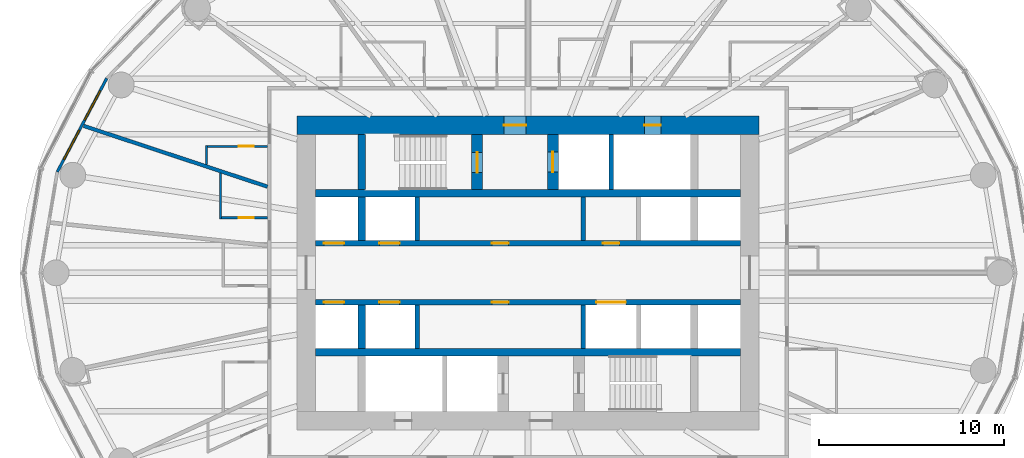
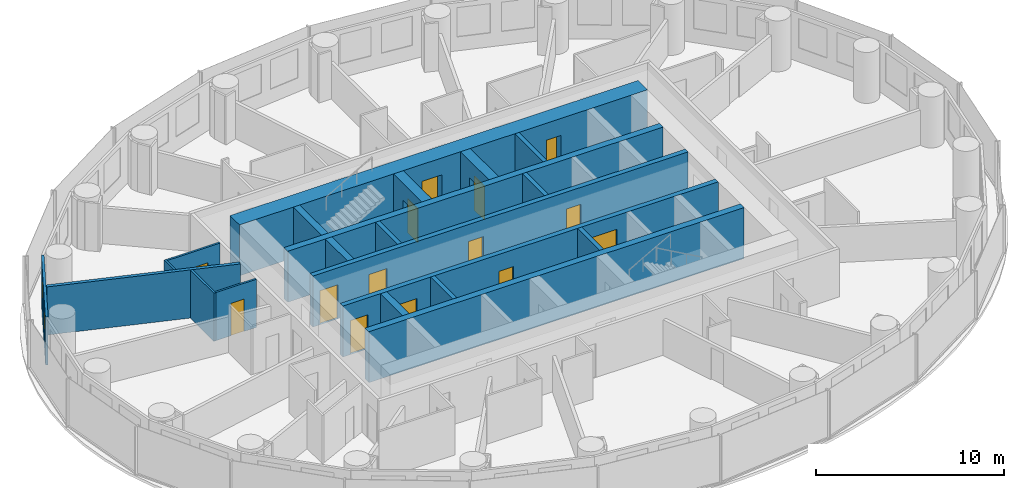
# One storey, part 8 of 13: 21 walls, 14 doors, 2 windows, 16 openings.
"""IFC4 building model written with IfcOpenShell, lengths in metres."""

from ifc_helpers import new_model, si_unit, direction, frame, frame_2d, origin, place, context, subcontext, project, spatial, rectangle, extrude, material, layer, layer_set, type_object, element, fill, save


model = new_model("IFC4")

# Units and contexts
model_context = context("Model", 3, precision=1e-05, world=origin(), true_north=direction((0.0, 1.0)))
body_context = subcontext(model_context, "Body", "Model", "MODEL_VIEW")
ifc_project = project(units=[si_unit("LENGTHUNIT", "METRE"), si_unit("AREAUNIT", "SQUARE_METRE"), si_unit("VOLUMEUNIT", "CUBIC_METRE"), si_unit("PLANEANGLEUNIT", "RADIAN"), si_unit("MASSUNIT", "GRAM", prefix="KILO")], contexts=[model_context])

# Site, building, storey
site_placement = place(None, origin())
site = spatial("IfcSite", under=ifc_project, at=site_placement, CompositionType="ELEMENT")
building_placement = place(site_placement, origin())
building = spatial("IfcBuilding", under=site, at=building_placement, Name="Hankou Lantern Tower", CompositionType="ELEMENT")
storey_placement = place(building_placement, frame((0.0, 0.0, 83.699951171875)))
storey = spatial("IfcBuildingStorey", under=building, at=storey_placement, Name="L21", CompositionType="ELEMENT", Elevation=83.699951171875)

# Wall, openings, doors
ifc_material_1 = material(Name="Concrete C60", Category="concrete")
ifc_layer_1 = layer(ifc_material_1, 1.0)
ifc_layer_set_1 = layer_set([ifc_layer_1], Name="Concrete C60")
wall_type_1 = type_object("IfcWallType", Name="CW1 CORE WALL 1000", PredefinedType="SHEAR", material=ifc_layer_set_1)
wall_1_placement = place(storey_placement, frame((-12.5, 8.0, 0.0), z_axis=(0.0, 0.0, 1.0), x_axis=(1.0, 0.0, 0.0)))
wall_1 = element("IfcWall", 1, at=wall_1_placement, inside=storey, type_object=wall_type_1, Name="Core wall north L21", PredefinedType="SHEAR", context=body_context, shape_type="SweptSolid", body=[
    extrude(rectangle(XDim=25.0, YDim=1.0, at=frame_2d((12.5, 0.0))), origin(), (0.0, 0.0, 1.0), 3.300048828125),
])
opening_1_placement = place(wall_1_placement, frame((11.199951171875, 0.0, 0.0)))
opening_1 = element("IfcOpeningElement", 2, at=opening_1_placement, cuts=wall_1, Name="Opening D5", PredefinedType="OPENING", context=body_context, shape_type="SweptSolid", body=[
    extrude(rectangle(XDim=1.199951171875, YDim=2.199951171875, at=frame_2d((0.60009765625, 1.10009765625))), frame((0.0, 0.510009765625, 0.0), z_axis=(0.0, -1.0, 0.0), x_axis=(1.0, 0.0, 0.0)), (0.0, 0.0, 1.0), 1.02001953125),
])
opening_2_placement = place(wall_1_placement, frame((18.800048828125, 0.0, 0.0)))
opening_2 = element("IfcOpeningElement", 3, at=opening_2_placement, cuts=wall_1, Name="Opening D7", PredefinedType="OPENING", context=body_context, shape_type="SweptSolid", body=[
    extrude(rectangle(XDim=0.89990234375, YDim=2.199951171875, at=frame_2d((0.449951171875, 1.10009765625))), frame((0.0, 0.510009765625, 0.0), z_axis=(0.0, -1.0, 0.0), x_axis=(1.0, 0.0, 0.0)), (0.0, 0.0, 1.0), 1.02001953125),
])
ifc_material_2 = material(Name="Steel door leaf", Category="steel")
door_type_1 = type_object("IfcDoorType", Name="D5 STAIR LOBBY DOOR 1200X2200", OperationType="SINGLE_SWING_LEFT", PredefinedType="DOOR", material=ifc_material_2)
door_1_placement = place(opening_1_placement, origin())
door_1 = element("IfcDoor", 4, at=door_1_placement, inside=storey, type_object=door_type_1, Name="Stair A lobby door", OperationType="SINGLE_SWING_LEFT", OverallHeight=2.199951171875, OverallWidth=1.199951171875, PredefinedType="DOOR", context=body_context, shape_type="SweptSolid", body=[
    extrude(rectangle(XDim=1.199951171875, YDim=2.199951171875, at=frame_2d((0.60009765625, 1.10009765625))), frame((0.0, 0.02490234375, 0.0), z_axis=(0.0, -1.0, 0.0), x_axis=(1.0, 0.0, 0.0)), (0.0, 0.0, 1.0), 0.050048828125),
])
fill(opening_1, door_1)
ifc_material_3 = material(Name="Steel door leaf", Category="steel")
door_type_2 = type_object("IfcDoorType", Name="D7 RISER DOOR 900X2200", OperationType="SINGLE_SWING_LEFT", PredefinedType="DOOR", material=ifc_material_3)
door_2_placement = place(opening_2_placement, origin())
door_2 = element("IfcDoor", 5, at=door_2_placement, inside=storey, type_object=door_type_2, Name="Riser N1 door", OperationType="SINGLE_SWING_RIGHT", OverallHeight=2.199951171875, OverallWidth=0.89990234375, PredefinedType="DOOR", context=body_context, shape_type="SweptSolid", body=[
    extrude(rectangle(XDim=0.89990234375, YDim=2.199951171875, at=frame_2d((0.449951171875, 1.10009765625))), frame((0.0, 0.02490234375, 0.0), z_axis=(0.0, -1.0, 0.0), x_axis=(1.0, 0.0, 0.0)), (0.0, 0.0, 1.0), 0.050048828125),
])
fill(opening_2, door_2)

# Walls
ifc_material_4 = material(Name="Concrete C60", Category="concrete")
ifc_layer_2 = layer(ifc_material_4, 0.39990234375)
ifc_layer_set_2 = layer_set([ifc_layer_2], Name="Concrete C60")
wall_type_2 = type_object("IfcWallType", Name="CW4 CORE CROSS WALL 400", PredefinedType="SHEAR", material=ifc_layer_set_2)
for number, where, z_axis, x_axis, name in (
    (6, (-11.5, 4.300048828125, 0.0), (0.0, 0.0, 1.0), (1.0, 0.0, 0.0), "Core band wall north L21"),
    (7, (-11.5, -4.300048828125, 0.0), (0.0, 0.0, 1.0), (1.0, 0.0, 0.0), "Core band wall south L21"),
):
    element("IfcWall", number, at=place(storey_placement, frame(where, z_axis=z_axis, x_axis=x_axis)), inside=storey, type_object=wall_type_2, Name=name, PredefinedType="SHEAR", context=body_context, shape_type="SweptSolid", body=[
        extrude(rectangle(XDim=23.0, YDim=0.39990234375, at=frame_2d((11.5, 0.0))), origin(), (0.0, 0.0, 1.0), 3.300048828125),
    ])
wall_2_placement = place(storey_placement, frame((-9.0, 4.5, 0.0), z_axis=(0.0, 0.0, 1.0), x_axis=(0.0, 1.0, 0.0)))
element("IfcWall", 8, at=wall_2_placement, inside=storey, type_object=wall_type_2, Name="Core strip wall L21", PredefinedType="SHEAR", context=body_context, shape_type="SweptSolid", body=[
    extrude(rectangle(XDim=3.0, YDim=0.39990234375, at=frame_2d((1.5, 0.0))), origin(), (0.0, 0.0, 1.0), 3.300048828125),
])
for number, where, z_axis, x_axis, name in (
    (9, (-9.0, 1.75, 0.0), (0.0, 0.0, 1.0), (0.0, 1.0, 0.0), "Core strip wall L21"),
    (10, (-9.0, -4.10009765625, 0.0), (0.0, 0.0, 1.0), (0.0, 1.0, 0.0), "Core strip wall L21"),
):
    element("IfcWall", number, at=place(storey_placement, frame(where, z_axis=z_axis, x_axis=x_axis)), inside=storey, type_object=wall_type_2, Name=name, PredefinedType="SHEAR", context=body_context, shape_type="SweptSolid", body=[
        extrude(rectangle(XDim=2.35009765625, YDim=0.39990234375, at=frame_2d((1.175048828125, 0.0))), origin(), (0.0, 0.0, 1.0), 3.300048828125),
    ])

# Wall, openings, doors
ifc_material_5 = material(Name="Concrete C60", Category="concrete")
ifc_layer_3 = layer(ifc_material_5, 0.300048828125)
ifc_layer_set_3 = layer_set([ifc_layer_3], Name="Concrete C60")
wall_type_3 = type_object("IfcWallType", Name="CW5 LIFT LOBBY WALL 300", PredefinedType="SHEAR", material=ifc_layer_set_3)
wall_3_placement = place(storey_placement, frame((-11.5, 1.60009765625, 0.0), z_axis=(0.0, 0.0, 1.0), x_axis=(1.0, 0.0, 0.0)))
wall_3 = element("IfcWall", 11, at=wall_3_placement, inside=storey, type_object=wall_type_3, Name="Lift lobby wall north L21", PredefinedType="SHEAR", context=body_context, shape_type="SweptSolid", body=[
    extrude(rectangle(XDim=23.0, YDim=0.300048828125, at=frame_2d((11.5, 0.0))), origin(), (0.0, 0.0, 1.0), 3.300048828125),
])
opening_3_placement = place(wall_3_placement, frame((0.449951171875, 0.0, 0.0)))
opening_3 = element("IfcOpeningElement", 12, at=opening_3_placement, cuts=wall_3, Name="Opening LD1", PredefinedType="OPENING", context=body_context, shape_type="SweptSolid", body=[
    extrude(rectangle(XDim=1.10009765625, YDim=2.199951171875, at=frame_2d((0.550048828125, 1.10009765625))), frame((0.0, 0.159912109375, 0.0), z_axis=(0.0, -1.0, 0.0), x_axis=(1.0, 0.0, 0.0)), (0.0, 0.0, 1.0), 0.320068359375),
])
opening_4_placement = place(wall_3_placement, frame((3.449951171875, 0.0, 0.0)))
opening_4 = element("IfcOpeningElement", 13, at=opening_4_placement, cuts=wall_3, Name="Opening LD1", PredefinedType="OPENING", context=body_context, shape_type="SweptSolid", body=[
    extrude(rectangle(XDim=1.10009765625, YDim=2.199951171875, at=frame_2d((0.550048828125, 1.10009765625))), frame((0.0, 0.159912109375, 0.0), z_axis=(0.0, -1.0, 0.0), x_axis=(1.0, 0.0, 0.0)), (0.0, 0.0, 1.0), 0.320068359375),
])
opening_5_placement = place(wall_3_placement, frame((9.550048828125, 0.0, 0.0)))
opening_5 = element("IfcOpeningElement", 14, at=opening_5_placement, cuts=wall_3, Name="Opening D30", PredefinedType="OPENING", context=body_context, shape_type="SweptSolid", body=[
    extrude(rectangle(XDim=0.89990234375, YDim=2.199951171875, at=frame_2d((0.449951171875, 1.10009765625))), frame((0.0, 0.159912109375, 0.0), z_axis=(0.0, -1.0, 0.0), x_axis=(1.0, 0.0, 0.0)), (0.0, 0.0, 1.0), 0.320068359375),
])
opening_6_placement = place(wall_3_placement, frame((15.550048828125, 0.0, 0.0)))
opening_6 = element("IfcOpeningElement", 15, at=opening_6_placement, cuts=wall_3, Name="Opening D30", PredefinedType="OPENING", context=body_context, shape_type="SweptSolid", body=[
    extrude(rectangle(XDim=0.89990234375, YDim=2.199951171875, at=frame_2d((0.449951171875, 1.10009765625))), frame((0.0, 0.159912109375, 0.0), z_axis=(0.0, -1.0, 0.0), x_axis=(1.0, 0.0, 0.0)), (0.0, 0.0, 1.0), 0.320068359375),
])
ifc_material_6 = material(Name="Steel door leaf", Category="steel")
door_type_3 = type_object("IfcDoorType", Name="D30 CORE ROOM DOOR 900X2200", OperationType="SINGLE_SWING_LEFT", PredefinedType="DOOR", material=ifc_material_6)
door_3_placement = place(opening_5_placement, origin())
door_3 = element("IfcDoor", 16, at=door_3_placement, inside=storey, type_object=door_type_3, Name="Engineering store door", OperationType="SINGLE_SWING_LEFT", OverallHeight=2.199951171875, OverallWidth=0.89990234375, PredefinedType="DOOR", context=body_context, shape_type="SweptSolid", body=[
    extrude(rectangle(XDim=0.89990234375, YDim=2.199951171875, at=frame_2d((0.449951171875, 1.10009765625))), frame((0.0, 0.02490234375, 0.0), z_axis=(0.0, -1.0, 0.0), x_axis=(1.0, 0.0, 0.0)), (0.0, 0.0, 1.0), 0.050048828125),
])
fill(opening_5, door_3)
door_4_placement = place(opening_6_placement, origin())
door_4 = element("IfcDoor", 17, at=door_4_placement, inside=storey, type_object=door_type_3, Name="Cleaner's store door", OperationType="SINGLE_SWING_RIGHT", OverallHeight=2.199951171875, OverallWidth=0.89990234375, PredefinedType="DOOR", context=body_context, shape_type="SweptSolid", body=[
    extrude(rectangle(XDim=0.89990234375, YDim=2.199951171875, at=frame_2d((0.449951171875, 1.10009765625))), frame((0.0, 0.02490234375, 0.0), z_axis=(0.0, -1.0, 0.0), x_axis=(1.0, 0.0, 0.0)), (0.0, 0.0, 1.0), 0.050048828125),
])
fill(opening_6, door_4)
ifc_material_7 = material(Name="Steel door leaf", Category="steel")
door_type_4 = type_object("IfcDoorType", Name="LD1 LIFT LANDING DOOR 1100X2200", OperationType="DOUBLE_DOOR_SLIDING", PredefinedType="DOOR", material=ifc_material_7)
door_5_placement = place(opening_3_placement, origin())
door_5 = element("IfcDoor", 18, at=door_5_placement, inside=storey, type_object=door_type_4, Name="Lift L1 landing door", OperationType="DOUBLE_DOOR_SLIDING", OverallHeight=2.199951171875, OverallWidth=1.10009765625, PredefinedType="DOOR", context=body_context, shape_type="SweptSolid", body=[
    extrude(rectangle(XDim=1.10009765625, YDim=2.199951171875, at=frame_2d((0.550048828125, 1.10009765625))), frame((0.0, 0.02490234375, 0.0), z_axis=(0.0, -1.0, 0.0), x_axis=(1.0, 0.0, 0.0)), (0.0, 0.0, 1.0), 0.050048828125),
])
fill(opening_3, door_5)
door_6_placement = place(opening_4_placement, origin())
door_6 = element("IfcDoor", 19, at=door_6_placement, inside=storey, type_object=door_type_4, Name="Lift L2 landing door", OperationType="DOUBLE_DOOR_SLIDING", OverallHeight=2.199951171875, OverallWidth=1.10009765625, PredefinedType="DOOR", context=body_context, shape_type="SweptSolid", body=[
    extrude(rectangle(XDim=1.10009765625, YDim=2.199951171875, at=frame_2d((0.550048828125, 1.10009765625))), frame((0.0, 0.02490234375, 0.0), z_axis=(0.0, -1.0, 0.0), x_axis=(1.0, 0.0, 0.0)), (0.0, 0.0, 1.0), 0.050048828125),
])
fill(opening_4, door_6)

wall_4_placement = place(storey_placement, frame((-11.5, -1.60009765625, 0.0), z_axis=(0.0, 0.0, 1.0), x_axis=(1.0, 0.0, 0.0)))
wall_4 = element("IfcWall", 20, at=wall_4_placement, inside=storey, type_object=wall_type_3, Name="Lift lobby wall south L21", PredefinedType="SHEAR", context=body_context, shape_type="SweptSolid", body=[
    extrude(rectangle(XDim=23.0, YDim=0.300048828125, at=frame_2d((11.5, 0.0))), origin(), (0.0, 0.0, 1.0), 3.300048828125),
])
opening_7_placement = place(wall_4_placement, frame((0.449951171875, 0.0, 0.0)))
opening_7 = element("IfcOpeningElement", 21, at=opening_7_placement, cuts=wall_4, Name="Opening LD1", PredefinedType="OPENING", context=body_context, shape_type="SweptSolid", body=[
    extrude(rectangle(XDim=1.10009765625, YDim=2.199951171875, at=frame_2d((0.550048828125, 1.10009765625))), frame((0.0, 0.159912109375, 0.0), z_axis=(0.0, -1.0, 0.0), x_axis=(1.0, 0.0, 0.0)), (0.0, 0.0, 1.0), 0.320068359375),
])
opening_8_placement = place(wall_4_placement, frame((3.449951171875, 0.0, 0.0)))
opening_8 = element("IfcOpeningElement", 22, at=opening_8_placement, cuts=wall_4, Name="Opening LD1", PredefinedType="OPENING", context=body_context, shape_type="SweptSolid", body=[
    extrude(rectangle(XDim=1.10009765625, YDim=2.199951171875, at=frame_2d((0.550048828125, 1.10009765625))), frame((0.0, 0.159912109375, 0.0), z_axis=(0.0, -1.0, 0.0), x_axis=(1.0, 0.0, 0.0)), (0.0, 0.0, 1.0), 0.320068359375),
])
opening_9_placement = place(wall_4_placement, frame((15.199951171875, 0.0, 0.0)))
opening_9 = element("IfcOpeningElement", 23, at=opening_9_placement, cuts=wall_4, Name="Opening LD4", PredefinedType="OPENING", context=body_context, shape_type="SweptSolid", body=[
    extrude(rectangle(XDim=1.60009765625, YDim=2.39990234375, at=frame_2d((0.800048828125, 1.199951171875))), frame((0.0, 0.159912109375, 0.0), z_axis=(0.0, -1.0, 0.0), x_axis=(1.0, 0.0, 0.0)), (0.0, 0.0, 1.0), 0.320068359375),
])
opening_10_placement = place(wall_4_placement, frame((9.550048828125, 0.0, 0.0)))
opening_10 = element("IfcOpeningElement", 24, at=opening_10_placement, cuts=wall_4, Name="Opening D30", PredefinedType="OPENING", context=body_context, shape_type="SweptSolid", body=[
    extrude(rectangle(XDim=0.89990234375, YDim=2.199951171875, at=frame_2d((0.449951171875, 1.10009765625))), frame((0.0, 0.159912109375, 0.0), z_axis=(0.0, -1.0, 0.0), x_axis=(1.0, 0.0, 0.0)), (0.0, 0.0, 1.0), 0.320068359375),
])
door_7_placement = place(opening_10_placement, origin())
door_7 = element("IfcDoor", 25, at=door_7_placement, inside=storey, type_object=door_type_3, Name="Housekeeping and linen store door", OperationType="SINGLE_SWING_LEFT", OverallHeight=2.199951171875, OverallWidth=0.89990234375, PredefinedType="DOOR", context=body_context, shape_type="SweptSolid", body=[
    extrude(rectangle(XDim=0.89990234375, YDim=2.199951171875, at=frame_2d((0.449951171875, 1.10009765625))), frame((0.0, 0.02490234375, 0.0), z_axis=(0.0, -1.0, 0.0), x_axis=(1.0, 0.0, 0.0)), (0.0, 0.0, 1.0), 0.050048828125),
])
fill(opening_10, door_7)
door_8_placement = place(opening_7_placement, origin())
door_8 = element("IfcDoor", 26, at=door_8_placement, inside=storey, type_object=door_type_4, Name="Lift L3 landing door", OperationType="DOUBLE_DOOR_SLIDING", OverallHeight=2.199951171875, OverallWidth=1.10009765625, PredefinedType="DOOR", context=body_context, shape_type="SweptSolid", body=[
    extrude(rectangle(XDim=1.10009765625, YDim=2.199951171875, at=frame_2d((0.550048828125, 1.10009765625))), frame((0.0, 0.02490234375, 0.0), z_axis=(0.0, -1.0, 0.0), x_axis=(1.0, 0.0, 0.0)), (0.0, 0.0, 1.0), 0.050048828125),
])
fill(opening_7, door_8)
door_9_placement = place(opening_8_placement, origin())
door_9 = element("IfcDoor", 27, at=door_9_placement, inside=storey, type_object=door_type_4, Name="Lift L4 landing door", OperationType="DOUBLE_DOOR_SLIDING", OverallHeight=2.199951171875, OverallWidth=1.10009765625, PredefinedType="DOOR", context=body_context, shape_type="SweptSolid", body=[
    extrude(rectangle(XDim=1.10009765625, YDim=2.199951171875, at=frame_2d((0.550048828125, 1.10009765625))), frame((0.0, 0.02490234375, 0.0), z_axis=(0.0, -1.0, 0.0), x_axis=(1.0, 0.0, 0.0)), (0.0, 0.0, 1.0), 0.050048828125),
])
fill(opening_8, door_9)
ifc_material_8 = material(Name="Steel door leaf", Category="steel")
door_type_5 = type_object("IfcDoorType", Name="LD4 SERVICE LIFT LANDING DOOR 1600X2400", OperationType="DOUBLE_DOOR_SLIDING", PredefinedType="DOOR", material=ifc_material_8)
door_10_placement = place(opening_9_placement, origin())
door_10 = element("IfcDoor", 28, at=door_10_placement, inside=storey, type_object=door_type_5, Name="Lift SV1 landing door", OperationType="DOUBLE_DOOR_SLIDING", OverallHeight=2.39990234375, OverallWidth=1.60009765625, PredefinedType="DOOR", context=body_context, shape_type="SweptSolid", body=[
    extrude(rectangle(XDim=1.60009765625, YDim=2.39990234375, at=frame_2d((0.800048828125, 1.199951171875))), frame((0.0, 0.02490234375, 0.0), z_axis=(0.0, -1.0, 0.0), x_axis=(1.0, 0.0, 0.0)), (0.0, 0.0, 1.0), 0.050048828125),
])
fill(opening_9, door_10)

# Wall, opening, door
ifc_material_9 = material(Name="Concrete C60", Category="concrete")
ifc_layer_4 = layer(ifc_material_9, 0.60009765625)
ifc_layer_set_4 = layer_set([ifc_layer_4], Name="Concrete C60")
wall_type_4 = type_object("IfcWallType", Name="CW6 STAIR AND SHAFT WALL 600", PredefinedType="SHEAR", material=ifc_layer_set_4)
wall_5_placement = place(storey_placement, frame((-2.75, 4.5, 0.0), z_axis=(0.0, 0.0, 1.0), x_axis=(0.0, 1.0, 0.0)))
wall_5 = element("IfcWall", 29, at=wall_5_placement, inside=storey, type_object=wall_type_4, Name="Stair wall L21", PredefinedType="SHEAR", context=body_context, shape_type="SweptSolid", body=[
    extrude(rectangle(XDim=3.0, YDim=0.60009765625, at=frame_2d((1.5, 0.0))), origin(), (0.0, 0.0, 1.0), 3.300048828125),
])
opening_11_placement = place(wall_5_placement, frame((0.925048828125, 0.0, 0.0)))
opening_11 = element("IfcOpeningElement", 30, at=opening_11_placement, cuts=wall_5, Name="Opening D4", PredefinedType="OPENING", context=body_context, shape_type="SweptSolid", body=[
    extrude(rectangle(XDim=1.10009765625, YDim=2.199951171875, at=frame_2d((0.550048828125, 1.10009765625))), frame((0.0, 0.31005859375, 0.0), z_axis=(0.0, -1.0, 0.0), x_axis=(1.0, 0.0, 0.0)), (0.0, 0.0, 1.0), 0.6201171875),
])
ifc_material_10 = material(Name="Steel door leaf", Category="steel")
door_type_6 = type_object("IfcDoorType", Name="D4 STAIR DOOR 1100X2200", OperationType="SINGLE_SWING_LEFT", PredefinedType="DOOR", material=ifc_material_10)
door_11_placement = place(opening_11_placement, origin())
door_11 = element("IfcDoor", 31, at=door_11_placement, inside=storey, type_object=door_type_6, Name="Stair A door", OperationType="SINGLE_SWING_LEFT", OverallHeight=2.199951171875, OverallWidth=1.10009765625, PredefinedType="DOOR", context=body_context, shape_type="SweptSolid", body=[
    extrude(rectangle(XDim=1.10009765625, YDim=2.199951171875, at=frame_2d((0.550048828125, 1.10009765625))), frame((0.0, 0.02490234375, 0.0), z_axis=(0.0, -1.0, 0.0), x_axis=(1.0, 0.0, 0.0)), (0.0, 0.0, 1.0), 0.050048828125),
])
fill(opening_11, door_11)

wall_6_placement = place(storey_placement, frame((1.35009765625, 4.5, 0.0), z_axis=(0.0, 0.0, 1.0), x_axis=(0.0, 1.0, 0.0)))
wall_6 = element("IfcWall", 32, at=wall_6_placement, inside=storey, type_object=wall_type_4, Name="Firefighting lift shaft wall L21", PredefinedType="SHEAR", context=body_context, shape_type="SweptSolid", body=[
    extrude(rectangle(XDim=3.0, YDim=0.60009765625, at=frame_2d((1.5, 0.0))), origin(), (0.0, 0.0, 1.0), 3.300048828125),
])
opening_12_placement = place(wall_6_placement, frame((0.949951171875, 0.0, 0.0)))
opening_12 = element("IfcOpeningElement", 33, at=opening_12_placement, cuts=wall_6, Name="Opening LD2", PredefinedType="OPENING", context=body_context, shape_type="SweptSolid", body=[
    extrude(rectangle(XDim=1.10009765625, YDim=2.199951171875, at=frame_2d((0.550048828125, 1.10009765625))), frame((0.0, 0.31005859375, 0.0), z_axis=(0.0, -1.0, 0.0), x_axis=(1.0, 0.0, 0.0)), (0.0, 0.0, 1.0), 0.6201171875),
])
ifc_material_11 = material(Name="Steel door leaf", Category="steel")
door_type_7 = type_object("IfcDoorType", Name="LD2 FIREFIGHTING LIFT LANDING DOOR 1100X2200", OperationType="DOUBLE_DOOR_SLIDING", PredefinedType="DOOR", material=ifc_material_11)
door_12_placement = place(opening_12_placement, origin())
door_12 = element("IfcDoor", 34, at=door_12_placement, inside=storey, type_object=door_type_7, Name="Firefighting lift FL1 landing door", OperationType="DOUBLE_DOOR_SLIDING", OverallHeight=2.199951171875, OverallWidth=1.10009765625, PredefinedType="DOOR", context=body_context, shape_type="SweptSolid", body=[
    extrude(rectangle(XDim=1.10009765625, YDim=2.199951171875, at=frame_2d((0.550048828125, 1.10009765625))), frame((0.0, 0.02490234375, 0.0), z_axis=(0.0, -1.0, 0.0), x_axis=(1.0, 0.0, 0.0)), (0.0, 0.0, 1.0), 0.050048828125),
])
fill(opening_12, door_12)

# Wall, openings, windows
ifc_material_12 = material(Name="Aluminium spandrel panel on steel studs", Category="steel")
ifc_layer_5 = layer(ifc_material_12, 0.14990234375)
ifc_layer_set_5 = layer_set([ifc_layer_5], Name="Aluminium spandrel panel on steel studs")
wall_type_5 = type_object("IfcWallType", Name="EW1 INNER SKIN WALL 150", PredefinedType="ELEMENTEDWALL", material=ifc_layer_set_5)
wall_7_placement = place(storey_placement, frame((-22.802734375, 10.5322265625, 0.0), z_axis=(0.0, 0.0, 1.0), x_axis=(-0.467296867008, -0.884100468321, 0.0)))
wall_7 = element("IfcWall", 35, at=wall_7_placement, inside=storey, type_object=wall_type_5, Name="Inner skin R11-R12 L21", PredefinedType="ELEMENTEDWALL", context=body_context, shape_type="SweptSolid", body=[
    extrude(rectangle(XDim=5.734375, YDim=0.14990234375, at=frame_2d((2.8671875, 0.0))), origin(), (0.0, 0.0, 1.0), 3.1201171875),
])
opening_13_placement = place(wall_7_placement, frame((0.76708984375, 0.0, 0.89990234375)))
opening_13 = element("IfcOpeningElement", 36, at=opening_13_placement, cuts=wall_7, Name="Opening W1", PredefinedType="OPENING", context=body_context, shape_type="SweptSolid", body=[
    extrude(rectangle(XDim=1.800048828125, YDim=1.89990234375, at=frame_2d((0.89990234375, 0.949951171875))), frame((0.0, 0.0849609375, 0.0), z_axis=(0.0, -1.0, 0.0), x_axis=(1.0, 0.0, 0.0)), (0.0, 0.0, 1.0), 0.169921875),
])
opening_14_placement = place(wall_7_placement, frame((3.167236328125, 0.0, 0.89990234375)))
opening_14 = element("IfcOpeningElement", 37, at=opening_14_placement, cuts=wall_7, Name="Opening W1", PredefinedType="OPENING", context=body_context, shape_type="SweptSolid", body=[
    extrude(rectangle(XDim=1.800048828125, YDim=1.89990234375, at=frame_2d((0.89990234375, 0.949951171875))), frame((0.0, 0.0849609375, 0.0), z_axis=(0.0, -1.0, 0.0), x_axis=(1.0, 0.0, 0.0)), (0.0, 0.0, 1.0), 0.169921875),
])
ifc_material_13 = material(Name="Aluminium framed double glazed window", Category="aluminium")
window_type = type_object("IfcWindowType", Name="W1 GUEST ROOM WINDOW 1800X1900", PartitioningType="DOUBLE_PANEL_VERTICAL", PredefinedType="WINDOW", material=ifc_material_13)
window_1_placement = place(opening_13_placement, origin())
window_1 = element("IfcWindow", 38, at=window_1_placement, inside=storey, type_object=window_type, Name="Window R11.1 L21", OverallHeight=1.89990234375, OverallWidth=1.800048828125, PartitioningType="SINGLE_PANEL", PredefinedType="WINDOW", context=body_context, shape_type="SweptSolid", body=[
    extrude(rectangle(XDim=1.800048828125, YDim=1.89990234375, at=frame_2d((0.89990234375, 0.949951171875))), frame((0.0, 0.030029296875, 0.0), z_axis=(0.0, -1.0, 0.0), x_axis=(1.0, 0.0, 0.0)), (0.0, 0.0, 1.0), 0.06005859375),
])
fill(opening_13, window_1)
window_2_placement = place(opening_14_placement, origin())
window_2 = element("IfcWindow", 39, at=window_2_placement, inside=storey, type_object=window_type, Name="Window R11.2 L21", OverallHeight=1.89990234375, OverallWidth=1.800048828125, PartitioningType="SINGLE_PANEL", PredefinedType="WINDOW", context=body_context, shape_type="SweptSolid", body=[
    extrude(rectangle(XDim=1.800048828125, YDim=1.89990234375, at=frame_2d((0.89990234375, 0.949951171875))), frame((0.0, 0.030029296875, 0.0), z_axis=(0.0, -1.0, 0.0), x_axis=(1.0, 0.0, 0.0)), (0.0, 0.0, 1.0), 0.06005859375),
])
fill(opening_14, window_2)

# Walls
ifc_material_14 = material(Name="Masonry lightweight concrete block", Category="masonry")
ifc_layer_6 = layer(ifc_material_14, 0.199951171875)
ifc_layer_set_6 = layer_set([ifc_layer_6], Name="Masonry lightweight concrete block")
wall_type_6 = type_object("IfcWallType", Name="IW1 GUEST ROOM PARTY WALL 200", PredefinedType="PARTITIONING", material=ifc_layer_set_6)
wall_8_placement = place(storey_placement, frame((-14.10009765625, 4.6630859375, 0.0), z_axis=(0.0, 0.0, 1.0), x_axis=(-0.949432655039, 0.31397075269, 0.0)))
element("IfcWall", 40, at=wall_8_placement, inside=storey, type_object=wall_type_6, Name="Party wall R11-R12", PredefinedType="PARTITIONING", context=body_context, shape_type="SweptSolid", body=[
    extrude(rectangle(XDim=10.48583984375, YDim=0.199951171875, at=frame_2d((5.242919921875, 0.0))), origin(), (0.0, 0.0, 1.0), 3.1201171875),
])
ifc_material_15 = material(Name="Masonry lightweight concrete block", Category="masonry")
ifc_layer_7 = layer(ifc_material_15, 0.1201171875)
ifc_layer_set_7 = layer_set([ifc_layer_7], Name="Masonry lightweight concrete block")
wall_type_7 = type_object("IfcWallType", Name="IW3 BATHROOM WALL 120", PredefinedType="PARTITIONING", material=ifc_layer_set_7)
wall_9_placement = place(storey_placement, frame((-16.64990234375, 5.40625, 0.0), z_axis=(0.0, 0.0, 1.0), x_axis=(0.0, -1.0, 0.0)))
element("IfcWall", 41, at=wall_9_placement, inside=storey, type_object=wall_type_7, Name="Box wall 2101 1", PredefinedType="PARTITIONING", context=body_context, shape_type="SweptSolid", body=[
    extrude(rectangle(XDim=2.483154296875, YDim=0.1201171875, at=frame_2d((1.24169921875, 0.0))), origin(), (0.0, 0.0, 1.0), 3.1201171875),
])

# Wall, opening, door
wall_10_placement = place(storey_placement, frame((-14.10009765625, 2.98291015625, 0.0), z_axis=(0.0, 0.0, 1.0), x_axis=(-1.0, 0.0, 0.0)))
wall_10 = element("IfcWall", 42, at=wall_10_placement, inside=storey, type_object=wall_type_7, Name="Box wall 2101 1", PredefinedType="PARTITIONING", context=body_context, shape_type="SweptSolid", body=[
    extrude(rectangle(XDim=2.489990234375, YDim=0.1201171875, at=frame_2d((1.2451171875, 0.0))), origin(), (0.0, 0.0, 1.0), 3.1201171875),
])
opening_15_placement = place(wall_10_placement, frame((0.75, 0.0, 0.0)))
opening_15 = element("IfcOpeningElement", 43, at=opening_15_placement, cuts=wall_10, Name="Opening D3", PredefinedType="OPENING", context=body_context, shape_type="SweptSolid", body=[
    extrude(rectangle(XDim=0.800048828125, YDim=2.10009765625, at=frame_2d((0.39990234375, 1.050048828125))), frame((0.0, 0.070068359375, 0.0), z_axis=(0.0, -1.0, 0.0), x_axis=(1.0, 0.0, 0.0)), (0.0, 0.0, 1.0), 0.14013671875),
])
ifc_material_16 = material(Name="Timber door leaf", Category="wood")
door_type_8 = type_object("IfcDoorType", Name="D3 BATHROOM DOOR 800X2100", OperationType="SINGLE_SWING_LEFT", PredefinedType="DOOR", material=ifc_material_16)
door_13_placement = place(opening_15_placement, origin())
door_13 = element("IfcDoor", 44, at=door_13_placement, inside=storey, type_object=door_type_8, Name="En-suite bathroom 2101 door", OperationType="SINGLE_SWING_LEFT", OverallHeight=2.10009765625, OverallWidth=0.800048828125, PredefinedType="DOOR", context=body_context, shape_type="SweptSolid", body=[
    extrude(rectangle(XDim=0.800048828125, YDim=2.10009765625, at=frame_2d((0.39990234375, 1.050048828125))), frame((0.0, 0.02490234375, 0.0), z_axis=(0.0, -1.0, 0.0), x_axis=(1.0, 0.0, 0.0)), (0.0, 0.0, 1.0), 0.050048828125),
])
fill(opening_15, door_13)

# Wall
wall_11_placement = place(storey_placement, frame((-17.39990234375, 5.854248046875, 0.0), z_axis=(0.0, 0.0, 1.0), x_axis=(0.0, 1.0, 0.0)))
element("IfcWall", 45, at=wall_11_placement, inside=storey, type_object=wall_type_7, Name="Box wall 2117 1", PredefinedType="PARTITIONING", context=body_context, shape_type="SweptSolid", body=[
    extrude(rectangle(XDim=1.048828125, YDim=0.1201171875, at=frame_2d((0.5244140625, 0.0))), origin(), (0.0, 0.0, 1.0), 3.1201171875),
])

# Wall, opening, door
wall_12_placement = place(storey_placement, frame((-14.10009765625, 6.843017578125, 0.0), z_axis=(0.0, 0.0, 1.0), x_axis=(-1.0, 0.0, 0.0)))
wall_12 = element("IfcWall", 46, at=wall_12_placement, inside=storey, type_object=wall_type_7, Name="Box wall 2117 1", PredefinedType="PARTITIONING", context=body_context, shape_type="SweptSolid", body=[
    extrude(rectangle(XDim=3.239990234375, YDim=0.1201171875, at=frame_2d((1.6201171875, 0.0))), origin(), (0.0, 0.0, 1.0), 3.1201171875),
])
opening_16_placement = place(wall_12_placement, frame((0.75, 0.0, 0.0)))
opening_16 = element("IfcOpeningElement", 47, at=opening_16_placement, cuts=wall_12, Name="Opening D3", PredefinedType="OPENING", context=body_context, shape_type="SweptSolid", body=[
    extrude(rectangle(XDim=0.800048828125, YDim=2.10009765625, at=frame_2d((0.39990234375, 1.050048828125))), frame((0.0, 0.070068359375, 0.0), z_axis=(0.0, -1.0, 0.0), x_axis=(1.0, 0.0, 0.0)), (0.0, 0.0, 1.0), 0.14013671875),
])
door_14_placement = place(opening_16_placement, origin())
door_14 = element("IfcDoor", 48, at=door_14_placement, inside=storey, type_object=door_type_8, Name="En-suite bathroom 2117 door", OperationType="SINGLE_SWING_LEFT", OverallHeight=2.10009765625, OverallWidth=0.800048828125, PredefinedType="DOOR", context=body_context, shape_type="SweptSolid", body=[
    extrude(rectangle(XDim=0.800048828125, YDim=2.10009765625, at=frame_2d((0.39990234375, 1.050048828125))), frame((0.0, 0.02490234375, 0.0), z_axis=(0.0, -1.0, 0.0), x_axis=(1.0, 0.0, 0.0)), (0.0, 0.0, 1.0), 0.050048828125),
])
fill(opening_16, door_14)

# Walls
ifc_material_17 = material(Name="Masonry autoclaved aerated concrete block", Category="masonry")
ifc_layer_8 = layer(ifc_material_17, 0.25)
ifc_layer_set_8 = layer_set([ifc_layer_8], Name="Masonry autoclaved aerated concrete block")
wall_type_8 = type_object("IfcWallType", Name="SW1 SHAFT BLOCK WALL 250", PredefinedType="PARTITIONING", material=ifc_layer_set_8)
wall_13_placement = place(storey_placement, frame((4.5, 4.5, 0.0), z_axis=(0.0, 0.0, 1.0), x_axis=(0.0, 1.0, 0.0)))
element("IfcWall", 49, at=wall_13_placement, inside=storey, type_object=wall_type_8, Name="Riser wall L21", PredefinedType="PARTITIONING", context=body_context, shape_type="SweptSolid", body=[
    extrude(rectangle(XDim=3.0, YDim=0.25, at=frame_2d((1.5, 0.0))), origin(), (0.0, 0.0, 1.0), 3.300048828125),
])
for number, where, z_axis, x_axis, name in (
    (50, (-6.0, 1.75, 0.0), (0.0, 0.0, 1.0), (0.0, 1.0, 0.0), "Lift shaft wall L21"),
    (51, (3.0, 1.75, 0.0), (0.0, 0.0, 1.0), (0.0, 1.0, 0.0), "Lift shaft wall L21"),
    (52, (-6.0, -4.10009765625, 0.0), (0.0, 0.0, 1.0), (0.0, 1.0, 0.0), "Lift shaft wall L21"),
    (53, (3.0, -4.10009765625, 0.0), (0.0, 0.0, 1.0), (0.0, 1.0, 0.0), "Lift shaft wall L21"),
):
    element("IfcWall", number, at=place(storey_placement, frame(where, z_axis=z_axis, x_axis=x_axis)), inside=storey, type_object=wall_type_8, Name=name, PredefinedType="PARTITIONING", context=body_context, shape_type="SweptSolid", body=[
        extrude(rectangle(XDim=2.35009765625, YDim=0.25, at=frame_2d((1.175048828125, 0.0))), origin(), (0.0, 0.0, 1.0), 3.300048828125),
    ])

save(model, "model.ifc")
